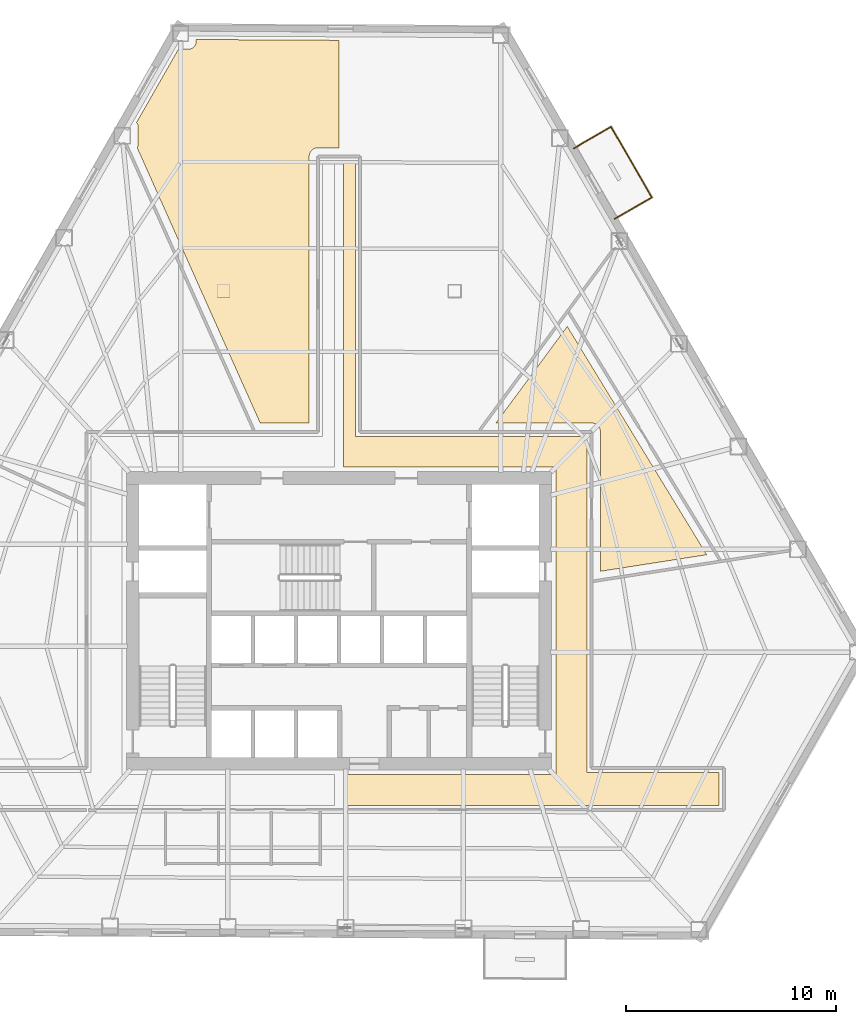
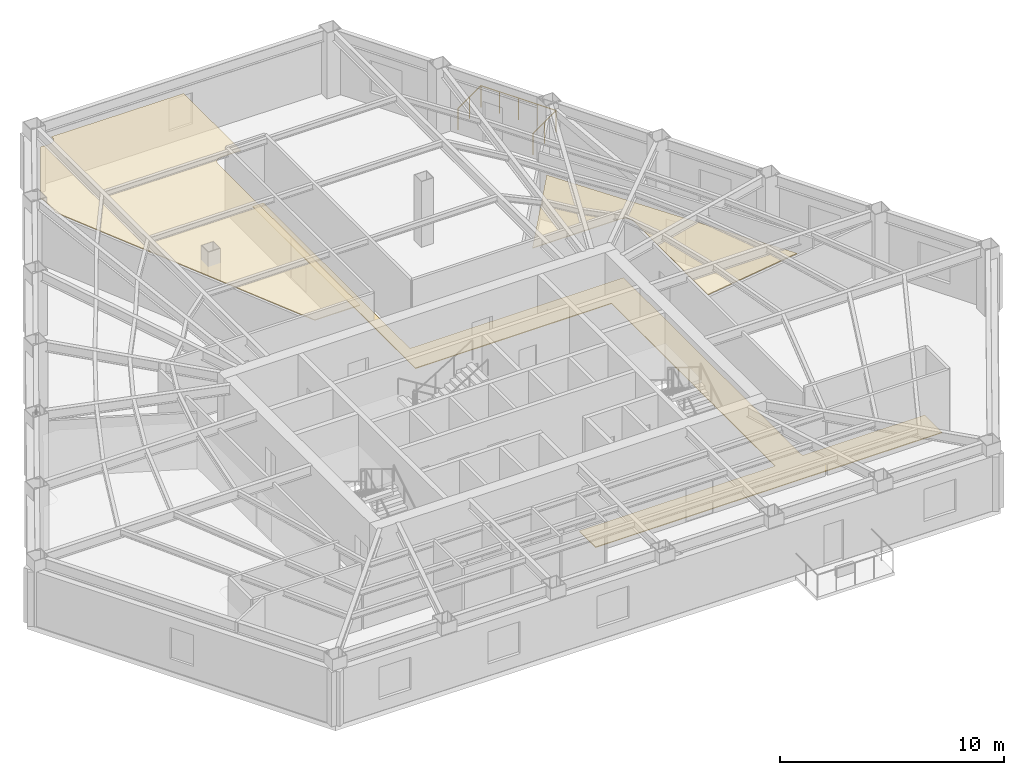
# One storey, part 12 of 12: 3 coverings, 3 railings.
"""IFC4 building model written with IfcOpenShell, lengths in metres."""

from ifc_helpers import new_model, si_unit, direction, frame, origin, origin_2d, place, context, subcontext, project, spatial, polyline, circle, outline, extrude, material, layer, layer_set, type_object, element, save


model = new_model("IFC4")

# Units and contexts
model_context = context("Model", 3, precision=1e-05, world=origin(), true_north=direction((0.0, 1.0)))
body_context = subcontext(model_context, "Body", "Model", "MODEL_VIEW")
ifc_project = project(units=[si_unit("LENGTHUNIT", "METRE"), si_unit("AREAUNIT", "SQUARE_METRE"), si_unit("VOLUMEUNIT", "CUBIC_METRE"), si_unit("PLANEANGLEUNIT", "RADIAN"), si_unit("MASSUNIT", "GRAM", prefix="KILO")], contexts=[model_context])

# Site, building, storey
site_placement = place(None, origin())
site = spatial("IfcSite", under=ifc_project, at=site_placement, CompositionType="ELEMENT")
building_placement = place(site_placement, origin())
building = spatial("IfcBuilding", under=site, at=building_placement, Name="Kavelnor Concourse Tower", CompositionType="ELEMENT")
storey_placement = place(building_placement, frame((0.0, 0.0, 40.64990234375)))
storey = spatial("IfcBuildingStorey", under=building, at=storey_placement, Name="L10", CompositionType="ELEMENT", Elevation=40.64990234375)

# Coverings
ifc_material_1 = material(Name="Mineral fibre acoustic ceiling tile")
ifc_layer_1 = layer(ifc_material_1, 0.0400390625, Name="Mineral fibre acoustic ceiling tile")
ifc_layer_set_1 = layer_set([ifc_layer_1], Name="Mineral fibre acoustic ceiling tile")
covering_type_1 = type_object("IfcCoveringType", Name="COV-CEILING-ACOUSTIC", PredefinedType="CEILING", material=ifc_layer_set_1)
covering_1_placement = place(storey_placement, frame((0.0, 0.0, 2.75)))
element("IfcCovering", 1, at=covering_1_placement, inside=storey, type_object=covering_type_1, Name="L10 Suspended Acoustic Ceiling", PredefinedType="CEILING", context=body_context, shape_type="SweptSolid", body=[
    extrude(outline(polyline([(50.434814453125, 25.1826171875), (50.4248046875, 25.222900390625), (50.41064453125, 25.26171875), (50.39306640625, 25.29931640625), (50.37158203125, 25.3349609375), (50.346923828125, 25.368408203125), (50.319091796875, 25.39892578125), (50.288330078125, 25.427001953125), (50.2548828125, 25.45166015625), (50.219482421875, 25.472900390625), (50.181884765625, 25.49072265625), (50.142822265625, 25.504638671875), (50.1025390625, 25.514892578125), (50.0615234375, 25.52099609375), (50.0283203125, 25.5224609375), (45.472900390625, 25.5224609375), (48.86669921875, 30.119384765625), (55.507080078125, 19.248291015625), (50.4423828125, 18.458984375), (50.4423828125, 25.1083984375), (50.44091796875, 25.1416015625), (50.434814453125, 25.1826171875)])), origin(), (0.0, 0.0, 1.0), 0.0400390625),
])
covering_2_placement = place(storey_placement, frame((0.0, 0.0, 2.75)))
element("IfcCovering", 2, at=covering_2_placement, inside=storey, type_object=covering_type_1, Name="L10 Suspended Acoustic Ceiling", PredefinedType="CEILING", context=body_context, shape_type="SweptSolid", body=[
    extrude(outline(polyline([(30.871337890625, 43.32373046875), (30.906494140625, 43.328857421875), (30.940673828125, 43.33740234375), (30.97412109375, 43.349365234375), (31.006103515625, 43.364501953125), (31.036376953125, 43.3828125), (31.064697265625, 43.40380859375), (31.0908203125, 43.427490234375), (31.11474609375, 43.453857421875), (31.1357421875, 43.482177734375), (31.154052734375, 43.512451171875), (31.169189453125, 43.54443359375), (31.180908203125, 43.577880859375), (31.189697265625, 43.612060546875), (31.19482421875, 43.647216796875), (31.196044921875, 43.674072265625), (31.196044921875, 43.7783203125), (37.9951171875, 43.740966796875), (37.9951171875, 38.62255859375), (36.99169921875, 38.62255859375), (36.95849609375, 38.620849609375), (36.91748046875, 38.61474609375), (36.877197265625, 38.604736328125), (36.838134765625, 38.5908203125), (36.800537109375, 38.572998046875), (36.764892578125, 38.551513671875), (36.731689453125, 38.52685546875), (36.700927734375, 38.4990234375), (36.673095703125, 38.46826171875), (36.6484375, 38.43505859375), (36.626953125, 38.3994140625), (36.609375, 38.36181640625), (36.59521484375, 38.32275390625), (36.585205078125, 38.282470703125), (36.5791015625, 38.241455078125), (36.577392578125, 38.208251953125), (36.577392578125, 25.5224609375), (34.24462890625, 25.5224609375), (28.39208984375, 38.62158203125), (28.397216796875, 38.6298828125), (28.412109375, 38.662109375), (28.424072265625, 38.6953125), (28.4326171875, 38.7294921875), (28.43798828125, 38.7646484375), (28.439208984375, 38.79150390625), (28.439208984375, 39.608154296875), (28.43798828125, 39.63525390625), (28.4326171875, 39.670166015625), (28.424072265625, 39.70458984375), (28.412109375, 39.73779296875), (28.397216796875, 39.769775390625), (28.37890625, 39.800048828125), (28.359375, 39.826416015625), (30.35595703125, 43.322509765625), (30.844482421875, 43.322509765625), (30.871337890625, 43.32373046875)])), origin(), (0.0, 0.0, 1.0), 0.0400390625),
])
ifc_material_2 = material(Name="Honed bluestone and raised access floor finish", Category="masonry")
ifc_layer_2 = layer(ifc_material_2, 0.0400390625, Name="Honed bluestone and raised access floor finish")
ifc_layer_set_2 = layer_set([ifc_layer_2], Name="Honed bluestone and raised access floor finish")
covering_type_2 = type_object("IfcCoveringType", Name="COV-FLOOR-STONE", PredefinedType="FLOORING", material=ifc_layer_set_2)
covering_3_placement = place(storey_placement, frame((0.0, 0.0, 0.002197265625)))
element("IfcCovering", 3, at=covering_3_placement, inside=storey, type_object=covering_type_2, Name="L10 Honed Bluestone Floor Finish", PredefinedType="FLOORING", context=body_context, shape_type="SweptSolid", body=[
    extrude(outline(polyline([(38.780029296875, 37.97998046875), (38.780029296875, 24.8798828125), (49.800048828125, 24.8798828125), (49.800048828125, 8.8798828125), (56.10009765625, 8.8798828125), (56.10009765625, 7.320068359375), (38.22509765625, 7.320068359375), (38.22509765625, 8.780029296875), (48.340087890625, 8.780029296875), (48.340087890625, 23.419921875), (38.22509765625, 23.419921875), (38.22509765625, 37.97998046875), (38.780029296875, 37.97998046875)])), origin(), (0.0, 0.0, 1.0), 0.039794921875),
])

# Railings
ifc_material_3 = material(Name="Architectural bronze-anodised aluminium", Category="aluminium")
railing_type = type_object("IfcRailingType", Name="RLG-TERRACE-1200", PredefinedType="BALUSTRADE", material=ifc_material_3)
railing_1_placement = place(storey_placement, frame((51.1201171875, 35.236572265625, 0.0)))
element("IfcRailing", 4, at=railing_1_placement, inside=storey, type_object=railing_type, Name="L10 Tree Balcony 2 Guardrail L", PredefinedType="BALUSTRADE", context=body_context, shape_type="SweptSolid", body=[
    extrude(circle(Radius=0.02392578125, at=origin_2d()), frame((0.0, 0.0, 1.17578125), z_axis=(0.865621919756, 0.500698204548, 0.0), x_axis=(-0.500698204548, 0.865621919756, 0.0)), (0.0, 0.0, 1.0), 2.0498046875),
    extrude(circle(Radius=0.02099609375, at=origin_2d()), origin(), (0.0, 0.0, 1.0), 1.15185546875),
    extrude(circle(Radius=0.02099609375, at=origin_2d()), frame((0.88720703125, 0.51318359375, 0.0)), (0.0, 0.0, 1.0), 1.15185546875),
    extrude(circle(Radius=0.02099609375, at=origin_2d()), frame((1.7744140625, 1.0263671875, 0.0)), (0.0, 0.0, 1.0), 1.15185546875),
])
railing_2_placement = place(storey_placement, frame((52.89453125, 36.262939453125, 0.0)))
element("IfcRailing", 5, at=railing_2_placement, inside=storey, type_object=railing_type, Name="L10 Tree Balcony 2 Guardrail F", PredefinedType="BALUSTRADE", context=body_context, shape_type="SweptSolid", body=[
    extrude(circle(Radius=0.02392578125, at=origin_2d()), frame((0.0, 0.0, 1.17578125), z_axis=(-0.50067905446, 0.865632996382, 0.0), x_axis=(-0.865632996382, -0.50067905446, 0.0)), (0.0, 0.0, 1.0), 3.8798828125),
    extrude(circle(Radius=0.02099609375, at=origin_2d()), origin(), (0.0, 0.0, 1.0), 1.15185546875),
    extrude(circle(Radius=0.02099609375, at=origin_2d()), frame((-0.485595703125, 0.839599609375, 0.0)), (0.0, 0.0, 1.0), 1.15185546875),
    extrude(circle(Radius=0.02099609375, at=origin_2d()), frame((-0.97119140625, 1.67919921875, 0.0)), (0.0, 0.0, 1.0), 1.15185546875),
    extrude(circle(Radius=0.02099609375, at=origin_2d()), frame((-1.45703125, 2.51904296875, 0.0)), (0.0, 0.0, 1.0), 1.15185546875),
    extrude(circle(Radius=0.02099609375, at=origin_2d()), frame((-1.942626953125, 3.358642578125, 0.0)), (0.0, 0.0, 1.0), 1.15185546875),
])
railing_3_placement = place(storey_placement, frame((50.951904296875, 39.62158203125, 0.0)))
element("IfcRailing", 6, at=railing_3_placement, inside=storey, type_object=railing_type, Name="L10 Tree Balcony 2 Guardrail R", PredefinedType="BALUSTRADE", context=body_context, shape_type="SweptSolid", body=[
    extrude(circle(Radius=0.02392578125, at=origin_2d()), frame((0.0, 0.0, 1.17578125), z_axis=(-0.865651773461, -0.500646589026, 0.0), x_axis=(0.500646589026, -0.865651773461, 0.0)), (0.0, 0.0, 1.0), 2.050048828125),
    extrude(circle(Radius=0.02099609375, at=origin_2d()), origin(), (0.0, 0.0, 1.0), 1.15185546875),
    extrude(circle(Radius=0.02099609375, at=origin_2d()), frame((-0.88720703125, -0.51318359375, 0.0)), (0.0, 0.0, 1.0), 1.15185546875),
    extrude(circle(Radius=0.02099609375, at=origin_2d()), frame((-1.774658203125, -1.0263671875, 0.0)), (0.0, 0.0, 1.0), 1.15185546875),
])

save(model, "model.ifc")
